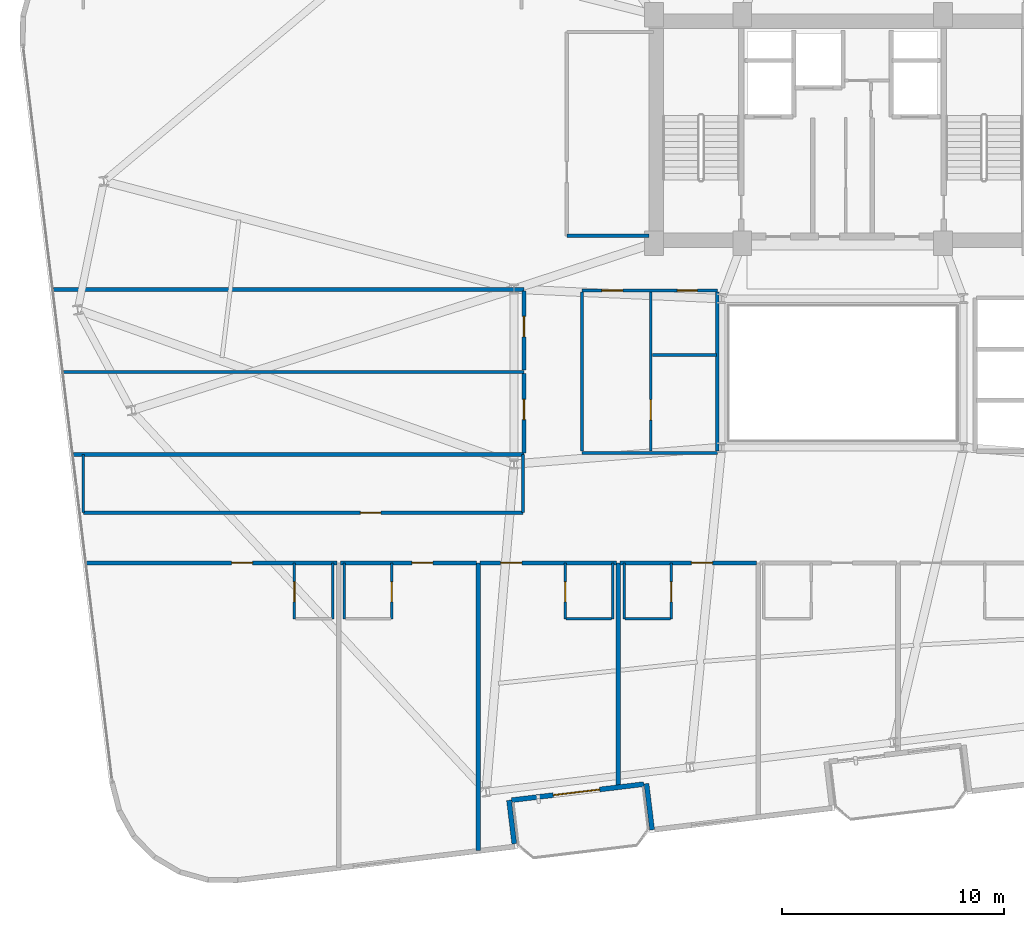
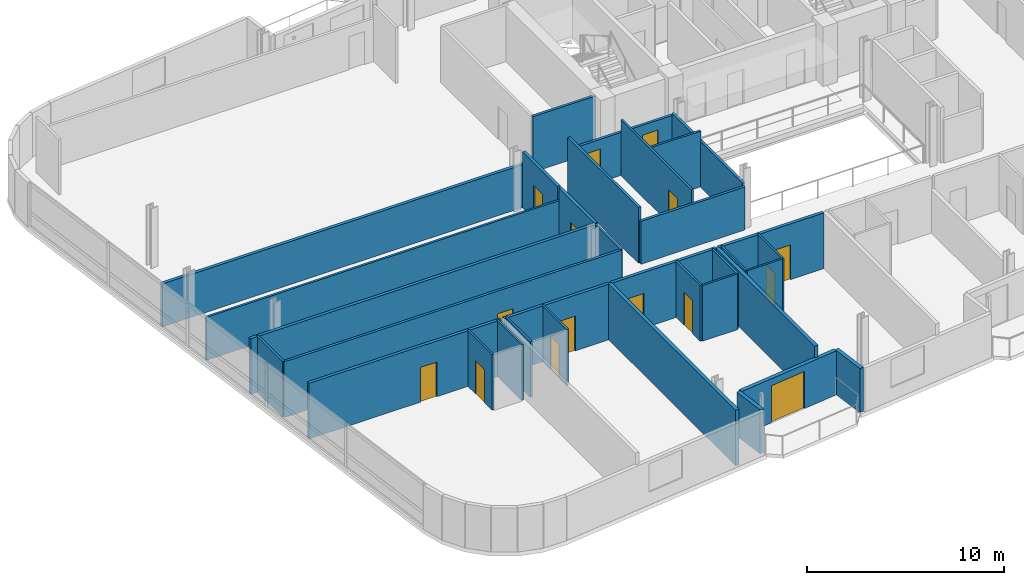
# One storey, part 14 of 23: 34 walls, 15 doors, 15 openings.
"""IFC4 building model written with IfcOpenShell, lengths in metres."""

from ifc_helpers import new_model, si_unit, direction, frame, frame_2d, origin, place, context, subcontext, project, spatial, rectangle, extrude, material, layer, layer_set, type_object, element, fill, save


model = new_model("IFC4")

# Units and contexts
model_context = context("Model", 3, precision=1e-05, world=origin(), true_north=direction((0.0, 1.0)))
body_context = subcontext(model_context, "Body", "Model", "MODEL_VIEW")
ifc_project = project(units=[si_unit("LENGTHUNIT", "METRE"), si_unit("AREAUNIT", "SQUARE_METRE"), si_unit("VOLUMEUNIT", "CUBIC_METRE"), si_unit("PLANEANGLEUNIT", "RADIAN"), si_unit("MASSUNIT", "GRAM", prefix="KILO")], contexts=[model_context])

# Site, building, storey
site_placement = place(None, origin())
site = spatial("IfcSite", under=ifc_project, at=site_placement, CompositionType="ELEMENT")
building_placement = place(site_placement, origin())
building = spatial("IfcBuilding", under=site, at=building_placement, Name="Varnelok Gate Tower", CompositionType="ELEMENT")
storey_placement = place(building_placement, frame((0.0, 0.0, 200.5)))
storey = spatial("IfcBuildingStorey", under=building, at=storey_placement, Name="L51", CompositionType="ELEMENT", Elevation=200.5)

# Wall, opening, door
ifc_material_1 = material(Name="Concrete C45/55", Category="concrete")
ifc_layer_1 = layer(ifc_material_1, 0.219970703125)
ifc_layer_set_1 = layer_set([ifc_layer_1], Name="Concrete C45/55")
wall_type_1 = type_object("IfcWallType", Name="EW-BALC-220", PredefinedType="SOLIDWALL", material=ifc_layer_set_1)
wall_1_placement = place(storey_placement, frame((30.25244140625, 4.381103515625, 0.0), z_axis=(0.0, 0.0, 1.0), x_axis=(-0.992735402148, -0.120318000826, 0.0)))
wall_1 = element("IfcWall", 1, at=wall_1_placement, inside=storey, type_object=wall_type_1, Name="L51 South Terrace Envelope Wall 1", PredefinedType="SOLIDWALL", context=body_context, shape_type="SweptSolid", body=[
    extrude(rectangle(XDim=6.000244140625, YDim=0.219970703125, at=frame_2d((3.0, 0.0))), origin(), (0.0, 0.0, 1.0), 2.72998046875),
])
opening_1_placement = place(wall_1_placement, frame((2.011962890625, 0.0, 0.0)))
opening_1 = element("IfcOpeningElement", 2, at=opening_1_placement, cuts=wall_1, Name="Opening BD-2", PredefinedType="OPENING", context=body_context, shape_type="SweptSolid", body=[
    extrude(rectangle(XDim=2.10009765625, YDim=2.300048828125, at=frame_2d((1.050048828125, 1.14990234375))), frame((0.0, 0.119873046875, 0.0), z_axis=(0.0, -1.0, 0.0), x_axis=(1.0, 0.0, 0.0)), (0.0, 0.0, 1.0), 0.239990234375),
])
ifc_material_2 = material(Name="Anodized Aluminum Alloy 6063-T6", Category="aluminium")
door_type_1 = type_object("IfcDoorType", Name="DR-EXT-SLID2100", OperationType="SLIDING_TO_LEFT", PredefinedType="DOOR", material=ifc_material_2)
door_1_placement = place(opening_1_placement, origin())
door_1 = element("IfcDoor", 3, at=door_1_placement, inside=storey, type_object=door_type_1, Name="L51 South Balcony Glazed Door 1", OperationType="SLIDING_TO_LEFT", OverallHeight=2.300048828125, OverallWidth=2.10009765625, PredefinedType="DOOR", context=body_context, shape_type="SweptSolid", body=[
    extrude(rectangle(XDim=2.10009765625, YDim=2.300048828125, at=frame_2d((1.050048828125, 1.14990234375))), frame((0.0, 0.02490234375, 0.0), z_axis=(0.0, -1.0, 0.0), x_axis=(1.0, 0.0, 0.0)), (0.0, 0.0, 1.0), 0.050048828125),
])
fill(opening_1, door_1)

# Walls
wall_2_placement = place(storey_placement, frame((24.413330078125, 1.694091796875, 0.0), z_axis=(0.0, 0.0, 1.0), x_axis=(-0.120290754542, 0.992738703976, 0.0)))
element("IfcWall", 4, at=wall_2_placement, inside=storey, type_object=wall_type_1, Name="L51 Perimeter Facade Closure Wall 8", PredefinedType="SOLIDWALL", context=body_context, shape_type="SweptSolid", body=[
    extrude(rectangle(XDim=1.974853515625, YDim=0.219970703125, at=frame_2d((0.9873046875, 0.0))), origin(), (0.0, 0.0, 1.0), 2.72998046875),
])
wall_3_placement = place(storey_placement, frame((30.370361328125, 4.405517578125, 0.0), z_axis=(0.0, 0.0, 1.0), x_axis=(0.120327895535, -0.992734202874, 0.0)))
element("IfcWall", 5, at=wall_3_placement, inside=storey, type_object=wall_type_1, Name="L51 Perimeter Facade Closure Wall 9", PredefinedType="SOLIDWALL", context=body_context, shape_type="SweptSolid", body=[
    extrude(rectangle(XDim=2.099853515625, YDim=0.219970703125, at=frame_2d((1.0498046875, 0.0))), origin(), (0.0, 0.0, 1.0), 2.72998046875),
])

# Wall, opening, door
ifc_material_3 = material(Name="Gypsum Plasterboard Acoustic Partition", Category="gypsum")
ifc_layer_2 = layer(ifc_material_3, 0.179931640625)
ifc_layer_set_2 = layer_set([ifc_layer_2], Name="Gypsum Plasterboard Acoustic Partition")
wall_type_2 = type_object("IfcWallType", Name="PW-CORR-180", PredefinedType="PARTITIONING", material=ifc_layer_set_2)
wall_4_placement = place(storey_placement, frame((5.14990234375, 14.35009765625, 0.0), z_axis=(0.0, 0.0, 1.0), x_axis=(1.0, 0.0, 0.0)))
wall_4 = element("IfcWall", 6, at=wall_4_placement, inside=storey, type_object=wall_type_2, Name="Interior Partition", PredefinedType="PARTITIONING", context=body_context, shape_type="SweptSolid", body=[
    extrude(rectangle(XDim=11.27001953125, YDim=0.179931640625, at=frame_2d((5.635009765625, 0.0))), origin(), (0.0, 0.0, 1.0), 3.449951171875),
])
opening_2_placement = place(wall_4_placement, frame((6.530029296875, 0.0, 0.0)))
opening_2 = element("IfcOpeningElement", 7, at=opening_2_placement, cuts=wall_4, Name="Opening D-HT", PredefinedType="OPENING", context=body_context, shape_type="SweptSolid", body=[
    extrude(rectangle(XDim=0.949951171875, YDim=2.14990234375, at=frame_2d((0.47509765625, 1.074951171875))), frame((0.0, 0.099853515625, 0.0), z_axis=(0.0, -1.0, 0.0), x_axis=(1.0, 0.0, 0.0)), (0.0, 0.0, 1.0), 0.199951171875),
])
ifc_material_4 = material(Name="Engineered Hardwood Timber", Category="wood")
door_type_2 = type_object("IfcDoorType", Name="DR-HTL-950", OperationType="NOTDEFINED", PredefinedType="DOOR", material=ifc_material_4)
door_2_placement = place(opening_2_placement, origin())
door_2 = element("IfcDoor", 8, at=door_2_placement, inside=storey, type_object=door_type_2, Name="L51 Guest Room 01 Entrance Door", OperationType="SINGLE_SWING_RIGHT", OverallHeight=2.14990234375, OverallWidth=0.949951171875, PredefinedType="DOOR", context=body_context, shape_type="SweptSolid", body=[
    extrude(rectangle(XDim=0.949951171875, YDim=2.14990234375, at=frame_2d((0.47509765625, 1.074951171875))), frame((0.0, 0.02490234375, 0.0), z_axis=(0.0, -1.0, 0.0), x_axis=(1.0, 0.0, 0.0)), (0.0, 0.0, 1.0), 0.050048828125),
])
fill(opening_2, door_2)

wall_5_placement = place(storey_placement, frame((16.580078125, 14.35009765625, 0.0), z_axis=(0.0, 0.0, 1.0), x_axis=(1.0, 0.0, 0.0)))
wall_5 = element("IfcWall", 9, at=wall_5_placement, inside=storey, type_object=wall_type_2, Name="Interior Partition", PredefinedType="PARTITIONING", context=body_context, shape_type="SweptSolid", body=[
    extrude(rectangle(XDim=6.139892578125, YDim=0.179931640625, at=frame_2d((3.06982421875, 0.0))), origin(), (0.0, 0.0, 1.0), 3.449951171875),
])
opening_3_placement = place(wall_5_placement, frame((3.21435546875, 0.0, 0.0)))
opening_3 = element("IfcOpeningElement", 10, at=opening_3_placement, cuts=wall_5, Name="Opening D-HT", PredefinedType="OPENING", context=body_context, shape_type="SweptSolid", body=[
    extrude(rectangle(XDim=0.949951171875, YDim=2.14990234375, at=frame_2d((0.47509765625, 1.074951171875))), frame((0.0, 0.099853515625, 0.0), z_axis=(0.0, -1.0, 0.0), x_axis=(1.0, 0.0, 0.0)), (0.0, 0.0, 1.0), 0.199951171875),
])
door_3_placement = place(opening_3_placement, origin())
door_3 = element("IfcDoor", 11, at=door_3_placement, inside=storey, type_object=door_type_2, Name="L51 Guest Room 02 Entrance Door", OperationType="SINGLE_SWING_LEFT", OverallHeight=2.14990234375, OverallWidth=0.949951171875, PredefinedType="DOOR", context=body_context, shape_type="SweptSolid", body=[
    extrude(rectangle(XDim=0.949951171875, YDim=2.14990234375, at=frame_2d((0.47509765625, 1.074951171875))), frame((0.0, 0.02490234375, 0.0), z_axis=(0.0, -1.0, 0.0), x_axis=(1.0, 0.0, 0.0)), (0.0, 0.0, 1.0), 0.050048828125),
])
fill(opening_3, door_3)

wall_6_placement = place(storey_placement, frame((22.8798828125, 14.35009765625, 0.0), z_axis=(0.0, 0.0, 1.0), x_axis=(1.0, 0.0, 0.0)))
wall_6 = element("IfcWall", 12, at=wall_6_placement, inside=storey, type_object=wall_type_2, Name="Interior Partition", PredefinedType="PARTITIONING", context=body_context, shape_type="SweptSolid", body=[
    extrude(rectangle(XDim=6.14013671875, YDim=0.179931640625, at=frame_2d((3.070068359375, 0.0))), origin(), (0.0, 0.0, 1.0), 3.449951171875),
])
opening_4_placement = place(wall_6_placement, frame((0.92236328125, 0.0, 0.0)))
opening_4 = element("IfcOpeningElement", 13, at=opening_4_placement, cuts=wall_6, Name="Opening D-HT", PredefinedType="OPENING", context=body_context, shape_type="SweptSolid", body=[
    extrude(rectangle(XDim=0.949951171875, YDim=2.14990234375, at=frame_2d((0.47509765625, 1.074951171875))), frame((0.0, 0.099853515625, 0.0), z_axis=(0.0, -1.0, 0.0), x_axis=(1.0, 0.0, 0.0)), (0.0, 0.0, 1.0), 0.199951171875),
])
door_4_placement = place(opening_4_placement, origin())
door_4 = element("IfcDoor", 14, at=door_4_placement, inside=storey, type_object=door_type_2, Name="L51 Guest Room 03 Entrance Door", OperationType="SINGLE_SWING_RIGHT", OverallHeight=2.14990234375, OverallWidth=0.949951171875, PredefinedType="DOOR", context=body_context, shape_type="SweptSolid", body=[
    extrude(rectangle(XDim=0.949951171875, YDim=2.14990234375, at=frame_2d((0.47509765625, 1.074951171875))), frame((0.0, 0.02490234375, 0.0), z_axis=(0.0, -1.0, 0.0), x_axis=(1.0, 0.0, 0.0)), (0.0, 0.0, 1.0), 0.050048828125),
])
fill(opening_4, door_4)

wall_7_placement = place(storey_placement, frame((29.179931640625, 14.35009765625, 0.0), z_axis=(0.0, 0.0, 1.0), x_axis=(1.0, 0.0, 0.0)))
wall_7 = element("IfcWall", 15, at=wall_7_placement, inside=storey, type_object=wall_type_2, Name="Interior Partition", PredefinedType="PARTITIONING", context=body_context, shape_type="SweptSolid", body=[
    extrude(rectangle(XDim=6.14013671875, YDim=0.179931640625, at=frame_2d((3.070068359375, 0.0))), origin(), (0.0, 0.0, 1.0), 3.449951171875),
])
opening_5_placement = place(wall_7_placement, frame((3.21435546875, 0.0, 0.0)))
opening_5 = element("IfcOpeningElement", 16, at=opening_5_placement, cuts=wall_7, Name="Opening D-HT", PredefinedType="OPENING", context=body_context, shape_type="SweptSolid", body=[
    extrude(rectangle(XDim=0.949951171875, YDim=2.14990234375, at=frame_2d((0.47509765625, 1.074951171875))), frame((0.0, 0.099853515625, 0.0), z_axis=(0.0, -1.0, 0.0), x_axis=(1.0, 0.0, 0.0)), (0.0, 0.0, 1.0), 0.199951171875),
])
door_5_placement = place(opening_5_placement, origin())
door_5 = element("IfcDoor", 17, at=door_5_placement, inside=storey, type_object=door_type_2, Name="L51 Guest Room 04 Entrance Door", OperationType="SINGLE_SWING_LEFT", OverallHeight=2.14990234375, OverallWidth=0.949951171875, PredefinedType="DOOR", context=body_context, shape_type="SweptSolid", body=[
    extrude(rectangle(XDim=0.949951171875, YDim=2.14990234375, at=frame_2d((0.47509765625, 1.074951171875))), frame((0.0, 0.02490234375, 0.0), z_axis=(0.0, -1.0, 0.0), x_axis=(1.0, 0.0, 0.0)), (0.0, 0.0, 1.0), 0.050048828125),
])
fill(opening_5, door_5)

wall_8_placement = place(storey_placement, frame((24.85009765625, 19.300048828125, 0.0), z_axis=(0.0, 0.0, 1.0), x_axis=(0.0, 1.0, 0.0)))
wall_8 = element("IfcWall", 18, at=wall_8_placement, inside=storey, type_object=wall_type_2, Name="Interior Partition", PredefinedType="PARTITIONING", context=body_context, shape_type="SweptSolid", body=[
    extrude(rectangle(XDim=3.570068359375, YDim=0.179931640625, at=frame_2d((1.78515625, 0.0))), origin(), (0.0, 0.0, 1.0), 3.449951171875),
])
opening_6_placement = place(wall_8_placement, frame((1.49951171875, 0.0, 0.0)))
opening_6 = element("IfcOpeningElement", 19, at=opening_6_placement, cuts=wall_8, Name="Opening D-I3", PredefinedType="OPENING", context=body_context, shape_type="SweptSolid", body=[
    extrude(rectangle(XDim=0.919921875, YDim=2.050048828125, at=frame_2d((0.4599609375, 1.02490234375))), frame((0.0, 0.099853515625, 0.0), z_axis=(0.0, -1.0, 0.0), x_axis=(1.0, 0.0, 0.0)), (0.0, 0.0, 1.0), 0.199951171875),
])
door_type_3 = type_object("IfcDoorType", Name="DR-INT-920", OperationType="NOTDEFINED", PredefinedType="DOOR", material=ifc_material_4)
door_6_placement = place(opening_6_placement, origin())
door_6 = element("IfcDoor", 20, at=door_6_placement, inside=storey, type_object=door_type_3, Name="L51 West Wing Room 1 Door", OperationType="SINGLE_SWING_LEFT", OverallHeight=2.050048828125, OverallWidth=0.919921875, PredefinedType="DOOR", context=body_context, shape_type="SweptSolid", body=[
    extrude(rectangle(XDim=0.919921875, YDim=2.050048828125, at=frame_2d((0.4599609375, 1.02490234375))), frame((0.0, 0.02490234375, 0.0), z_axis=(0.0, -1.0, 0.0), x_axis=(1.0, 0.0, 0.0)), (0.0, 0.0, 1.0), 0.050048828125),
])
fill(opening_6, door_6)

wall_9_placement = place(storey_placement, frame((24.85009765625, 23.030029296875, 0.0), z_axis=(0.0, 0.0, 1.0), x_axis=(0.0, 1.0, 0.0)))
wall_9 = element("IfcWall", 21, at=wall_9_placement, inside=storey, type_object=wall_type_2, Name="Interior Partition", PredefinedType="PARTITIONING", context=body_context, shape_type="SweptSolid", body=[
    extrude(rectangle(XDim=3.570068359375, YDim=0.179931640625, at=frame_2d((1.78515625, 0.0))), origin(), (0.0, 0.0, 1.0), 3.449951171875),
])
opening_7_placement = place(wall_9_placement, frame((1.49951171875, 0.0, 0.0)))
opening_7 = element("IfcOpeningElement", 22, at=opening_7_placement, cuts=wall_9, Name="Opening D-I3", PredefinedType="OPENING", context=body_context, shape_type="SweptSolid", body=[
    extrude(rectangle(XDim=0.919921875, YDim=2.050048828125, at=frame_2d((0.4599609375, 1.02490234375))), frame((0.0, 0.099853515625, 0.0), z_axis=(0.0, -1.0, 0.0), x_axis=(1.0, 0.0, 0.0)), (0.0, 0.0, 1.0), 0.199951171875),
])
door_7_placement = place(opening_7_placement, origin())
door_7 = element("IfcDoor", 23, at=door_7_placement, inside=storey, type_object=door_type_3, Name="L51 West Wing Room 2 Door", OperationType="SINGLE_SWING_RIGHT", OverallHeight=2.050048828125, OverallWidth=0.919921875, PredefinedType="DOOR", context=body_context, shape_type="SweptSolid", body=[
    extrude(rectangle(XDim=0.919921875, YDim=2.050048828125, at=frame_2d((0.4599609375, 1.02490234375))), frame((0.0, 0.02490234375, 0.0), z_axis=(0.0, -1.0, 0.0), x_axis=(1.0, 0.0, 0.0)), (0.0, 0.0, 1.0), 0.050048828125),
])
fill(opening_7, door_7)

# Walls
wall_10_placement = place(storey_placement, frame((4.55712890625, 19.239990234375, 0.0), z_axis=(0.0, 0.0, 1.0), x_axis=(1.0, 0.0, 0.0)))
element("IfcWall", 24, at=wall_10_placement, inside=storey, type_object=wall_type_2, Name="Interior Partition", PredefinedType="PARTITIONING", context=body_context, shape_type="SweptSolid", body=[
    extrude(rectangle(XDim=20.29296875, YDim=0.179931640625, at=frame_2d((10.146484375, 0.0))), origin(), (0.0, 0.0, 1.0), 3.449951171875),
])
wall_11_placement = place(storey_placement, frame((3.65771484375, 26.659912109375, 0.0), z_axis=(0.0, 0.0, 1.0), x_axis=(1.0, 0.0, 0.0)))
element("IfcWall", 25, at=wall_11_placement, inside=storey, type_object=wall_type_2, Name="Interior Partition", PredefinedType="PARTITIONING", context=body_context, shape_type="SweptSolid", body=[
    extrude(rectangle(XDim=21.1923828125, YDim=0.179931640625, at=frame_2d((10.59619140625, 0.0))), origin(), (0.0, 0.0, 1.0), 2.662109375),
])

# Wall, opening, door
ifc_layer_3 = layer(ifc_material_3, 0.114990234375)
ifc_layer_set_3 = layer_set([ifc_layer_3], Name="Gypsum Plasterboard Acoustic Partition")
wall_type_3 = type_object("IfcWallType", Name="PW-ENS-125", PredefinedType="PARTITIONING", material=ifc_layer_set_3)
wall_12_placement = place(storey_placement, frame((14.510009765625, 11.830078125, 0.0), z_axis=(0.0, 0.0, 1.0), x_axis=(0.0, 1.0, 0.0)))
wall_12 = element("IfcWall", 26, at=wall_12_placement, inside=storey, type_object=wall_type_3, Name="Interior Partition", PredefinedType="PARTITIONING", context=body_context, shape_type="SweptSolid", body=[
    extrude(rectangle(XDim=2.52001953125, YDim=0.114990234375, at=frame_2d((1.260009765625, 0.0))), origin(), (0.0, 0.0, 1.0), 3.449951171875),
])
opening_8_placement = place(wall_12_placement, frame((0.760009765625, 0.0, 0.0)))
opening_8 = element("IfcOpeningElement", 27, at=opening_8_placement, cuts=wall_12, Name="Opening D-WC", PredefinedType="OPENING", context=body_context, shape_type="SweptSolid", body=[
    extrude(rectangle(XDim=0.89990234375, YDim=2.050048828125, at=frame_2d((0.449951171875, 1.02490234375))), frame((0.0, 0.0673828125, 0.0), z_axis=(0.0, -1.0, 0.0), x_axis=(1.0, 0.0, 0.0)), (0.0, 0.0, 1.0), 0.135009765625),
])
door_type_4 = type_object("IfcDoorType", Name="DR-BATH-900", OperationType="NOTDEFINED", PredefinedType="DOOR", material=ifc_material_4)
door_8_placement = place(opening_8_placement, origin())
door_8 = element("IfcDoor", 28, at=door_8_placement, inside=storey, type_object=door_type_4, Name="L51 Guest En-Suite 01 Door", OperationType="SINGLE_SWING_RIGHT", OverallHeight=2.050048828125, OverallWidth=0.89990234375, PredefinedType="DOOR", context=body_context, shape_type="SweptSolid", body=[
    extrude(rectangle(XDim=0.89990234375, YDim=2.050048828125, at=frame_2d((0.449951171875, 1.02490234375))), frame((0.0, 0.02490234375, 0.0), z_axis=(0.0, -1.0, 0.0), x_axis=(1.0, 0.0, 0.0)), (0.0, 0.0, 1.0), 0.050048828125),
])
fill(opening_8, door_8)

# Wall
wall_13_placement = place(storey_placement, frame((16.239990234375, 11.830078125, 0.0), z_axis=(0.0, 0.0, 1.0), x_axis=(0.0, 1.0, 0.0)))
element("IfcWall", 29, at=wall_13_placement, inside=storey, type_object=wall_type_3, Name="Interior Partition", PredefinedType="PARTITIONING", context=body_context, shape_type="SweptSolid", body=[
    extrude(rectangle(XDim=2.52001953125, YDim=0.114990234375, at=frame_2d((1.260009765625, 0.0))), origin(), (0.0, 0.0, 1.0), 3.449951171875),
])

# Wall, opening, door
wall_14_placement = place(storey_placement, frame((18.89208984375, 11.830078125, 0.0), z_axis=(0.0, 0.0, 1.0), x_axis=(0.0, 1.0, 0.0)))
wall_14 = element("IfcWall", 30, at=wall_14_placement, inside=storey, type_object=wall_type_3, Name="Interior Partition", PredefinedType="PARTITIONING", context=body_context, shape_type="SweptSolid", body=[
    extrude(rectangle(XDim=2.52001953125, YDim=0.114990234375, at=frame_2d((1.260009765625, 0.0))), origin(), (0.0, 0.0, 1.0), 3.449951171875),
])
opening_9_placement = place(wall_14_placement, frame((0.760009765625, 0.0, 0.0)))
opening_9 = element("IfcOpeningElement", 31, at=opening_9_placement, cuts=wall_14, Name="Opening D-WC", PredefinedType="OPENING", context=body_context, shape_type="SweptSolid", body=[
    extrude(rectangle(XDim=0.89990234375, YDim=2.050048828125, at=frame_2d((0.449951171875, 1.02490234375))), frame((0.0, 0.0673828125, 0.0), z_axis=(0.0, -1.0, 0.0), x_axis=(1.0, 0.0, 0.0)), (0.0, 0.0, 1.0), 0.135009765625),
])
door_9_placement = place(opening_9_placement, origin())
door_9 = element("IfcDoor", 32, at=door_9_placement, inside=storey, type_object=door_type_4, Name="L51 Guest En-Suite 02 Door", OperationType="SINGLE_SWING_LEFT", OverallHeight=2.050048828125, OverallWidth=0.89990234375, PredefinedType="DOOR", context=body_context, shape_type="SweptSolid", body=[
    extrude(rectangle(XDim=0.89990234375, YDim=2.050048828125, at=frame_2d((0.449951171875, 1.02490234375))), frame((0.0, 0.02490234375, 0.0), z_axis=(0.0, -1.0, 0.0), x_axis=(1.0, 0.0, 0.0)), (0.0, 0.0, 1.0), 0.050048828125),
])
fill(opening_9, door_9)

# Walls
wall_15_placement = place(storey_placement, frame((16.760009765625, 11.830078125, 0.0), z_axis=(0.0, 0.0, 1.0), x_axis=(0.0, 1.0, 0.0)))
element("IfcWall", 33, at=wall_15_placement, inside=storey, type_object=wall_type_3, Name="Interior Partition", PredefinedType="PARTITIONING", context=body_context, shape_type="SweptSolid", body=[
    extrude(rectangle(XDim=2.52001953125, YDim=0.114990234375, at=frame_2d((1.260009765625, 0.0))), origin(), (0.0, 0.0, 1.0), 3.449951171875),
])
wall_16_placement = place(storey_placement, frame((26.748046875, 11.830078125, 0.0), z_axis=(0.0, 0.0, 1.0), x_axis=(1.0, 0.0, 0.0)))
element("IfcWall", 34, at=wall_16_placement, inside=storey, type_object=wall_type_3, Name="Interior Partition", PredefinedType="PARTITIONING", context=body_context, shape_type="SweptSolid", body=[
    extrude(rectangle(XDim=2.052001953125, YDim=0.114990234375, at=frame_2d((1.02587890625, 0.0))), origin(), (0.0, 0.0, 1.0), 3.449951171875),
])

# Wall, opening, door
wall_17_placement = place(storey_placement, frame((26.7080078125, 11.830078125, 0.0), z_axis=(0.0, 0.0, 1.0), x_axis=(0.0, 1.0, 0.0)))
wall_17 = element("IfcWall", 35, at=wall_17_placement, inside=storey, type_object=wall_type_3, Name="Interior Partition", PredefinedType="PARTITIONING", context=body_context, shape_type="SweptSolid", body=[
    extrude(rectangle(XDim=2.52001953125, YDim=0.114990234375, at=frame_2d((1.260009765625, 0.0))), origin(), (0.0, 0.0, 1.0), 3.449951171875),
])
opening_10_placement = place(wall_17_placement, frame((0.760009765625, 0.0, 0.0)))
opening_10 = element("IfcOpeningElement", 36, at=opening_10_placement, cuts=wall_17, Name="Opening D-WC", PredefinedType="OPENING", context=body_context, shape_type="SweptSolid", body=[
    extrude(rectangle(XDim=0.89990234375, YDim=2.050048828125, at=frame_2d((0.449951171875, 1.02490234375))), frame((0.0, 0.0673828125, 0.0), z_axis=(0.0, -1.0, 0.0), x_axis=(1.0, 0.0, 0.0)), (0.0, 0.0, 1.0), 0.135009765625),
])
door_10_placement = place(opening_10_placement, origin())
door_10 = element("IfcDoor", 37, at=door_10_placement, inside=storey, type_object=door_type_4, Name="L51 Guest En-Suite 03 Door", OperationType="SINGLE_SWING_RIGHT", OverallHeight=2.050048828125, OverallWidth=0.89990234375, PredefinedType="DOOR", context=body_context, shape_type="SweptSolid", body=[
    extrude(rectangle(XDim=0.89990234375, YDim=2.050048828125, at=frame_2d((0.449951171875, 1.02490234375))), frame((0.0, 0.02490234375, 0.0), z_axis=(0.0, -1.0, 0.0), x_axis=(1.0, 0.0, 0.0)), (0.0, 0.0, 1.0), 0.050048828125),
])
fill(opening_10, door_10)

# Walls
wall_18_placement = place(storey_placement, frame((28.840087890625, 11.830078125, 0.0), z_axis=(0.0, 0.0, 1.0), x_axis=(0.0, 1.0, 0.0)))
element("IfcWall", 38, at=wall_18_placement, inside=storey, type_object=wall_type_3, Name="Interior Partition", PredefinedType="PARTITIONING", context=body_context, shape_type="SweptSolid", body=[
    extrude(rectangle(XDim=2.52001953125, YDim=0.114990234375, at=frame_2d((1.260009765625, 0.0))), origin(), (0.0, 0.0, 1.0), 3.449951171875),
])
wall_19_placement = place(storey_placement, frame((29.39990234375, 11.830078125, 0.0), z_axis=(0.0, 0.0, 1.0), x_axis=(1.0, 0.0, 0.0)))
element("IfcWall", 39, at=wall_19_placement, inside=storey, type_object=wall_type_3, Name="Interior Partition", PredefinedType="PARTITIONING", context=body_context, shape_type="SweptSolid", body=[
    extrude(rectangle(XDim=2.052001953125, YDim=0.114990234375, at=frame_2d((1.02587890625, 0.0))), origin(), (0.0, 0.0, 1.0), 3.449951171875),
])

# Wall, opening, door
wall_20_placement = place(storey_placement, frame((31.491943359375, 11.830078125, 0.0), z_axis=(0.0, 0.0, 1.0), x_axis=(0.0, 1.0, 0.0)))
wall_20 = element("IfcWall", 40, at=wall_20_placement, inside=storey, type_object=wall_type_3, Name="Interior Partition", PredefinedType="PARTITIONING", context=body_context, shape_type="SweptSolid", body=[
    extrude(rectangle(XDim=2.52001953125, YDim=0.114990234375, at=frame_2d((1.260009765625, 0.0))), origin(), (0.0, 0.0, 1.0), 3.449951171875),
])
opening_11_placement = place(wall_20_placement, frame((0.760009765625, 0.0, 0.0)))
opening_11 = element("IfcOpeningElement", 41, at=opening_11_placement, cuts=wall_20, Name="Opening D-WC", PredefinedType="OPENING", context=body_context, shape_type="SweptSolid", body=[
    extrude(rectangle(XDim=0.89990234375, YDim=2.050048828125, at=frame_2d((0.449951171875, 1.02490234375))), frame((0.0, 0.0673828125, 0.0), z_axis=(0.0, -1.0, 0.0), x_axis=(1.0, 0.0, 0.0)), (0.0, 0.0, 1.0), 0.135009765625),
])
door_11_placement = place(opening_11_placement, origin())
door_11 = element("IfcDoor", 42, at=door_11_placement, inside=storey, type_object=door_type_4, Name="L51 Guest En-Suite 04 Door", OperationType="SINGLE_SWING_LEFT", OverallHeight=2.050048828125, OverallWidth=0.89990234375, PredefinedType="DOOR", context=body_context, shape_type="SweptSolid", body=[
    extrude(rectangle(XDim=0.89990234375, YDim=2.050048828125, at=frame_2d((0.449951171875, 1.02490234375))), frame((0.0, 0.02490234375, 0.0), z_axis=(0.0, -1.0, 0.0), x_axis=(1.0, 0.0, 0.0)), (0.0, 0.0, 1.0), 0.050048828125),
])
fill(opening_11, door_11)

# Walls
wall_21_placement = place(storey_placement, frame((29.360107421875, 11.830078125, 0.0), z_axis=(0.0, 0.0, 1.0), x_axis=(0.0, 1.0, 0.0)))
element("IfcWall", 43, at=wall_21_placement, inside=storey, type_object=wall_type_3, Name="Interior Partition", PredefinedType="PARTITIONING", context=body_context, shape_type="SweptSolid", body=[
    extrude(rectangle(XDim=2.52001953125, YDim=0.114990234375, at=frame_2d((1.260009765625, 0.0))), origin(), (0.0, 0.0, 1.0), 3.449951171875),
])
ifc_layer_4 = layer(ifc_material_3, 0.125)
ifc_layer_set_4 = layer_set([ifc_layer_4], Name="Gypsum Plasterboard Acoustic Partition")
wall_type_4 = type_object("IfcWallType", Name="PW-PART-125", PredefinedType="PARTITIONING", material=ifc_layer_set_4)
for number, where, z_axis, x_axis, name in (
    (44, (5.0, 16.610107421875, 0.0), (0.0, 0.0, 1.0), (0.0, 1.0, 0.0), "Interior Partition"),
    (45, (24.800048828125, 16.610107421875, 0.0), (0.0, 0.0, 1.0), (0.0, 1.0, 0.0), "Interior Partition"),
):
    element("IfcWall", number, at=place(storey_placement, frame(where, z_axis=z_axis, x_axis=x_axis)), inside=storey, type_object=wall_type_4, Name=name, PredefinedType="PARTITIONING", context=body_context, shape_type="SweptSolid", body=[
        extrude(rectangle(XDim=2.6298828125, YDim=0.125, at=frame_2d((1.31494140625, 0.0))), origin(), (0.0, 0.0, 1.0), 3.449951171875),
    ])
wall_22_placement = place(storey_placement, frame((4.107421875, 22.949951171875, 0.0), z_axis=(0.0, 0.0, 1.0), x_axis=(1.0, 0.0, 0.0)))
element("IfcWall", 46, at=wall_22_placement, inside=storey, type_object=wall_type_4, Name="Interior Partition", PredefinedType="PARTITIONING", context=body_context, shape_type="SweptSolid", body=[
    extrude(rectangle(XDim=20.74267578125, YDim=0.125, at=frame_2d((10.371337890625, 0.0))), origin(), (0.0, 0.0, 1.0), 2.662109375),
])

# Wall, opening, door
wall_23_placement = place(storey_placement, frame((30.56005859375, 19.3798828125, 0.0), z_axis=(0.0, 0.0, 1.0), x_axis=(0.0, 1.0, 0.0)))
wall_23 = element("IfcWall", 47, at=wall_23_placement, inside=storey, type_object=wall_type_4, Name="Interior Partition", PredefinedType="PARTITIONING", context=body_context, shape_type="SweptSolid", body=[
    extrude(rectangle(XDim=7.16015625, YDim=0.125, at=frame_2d((3.580078125, 0.0))), origin(), (0.0, 0.0, 1.0), 3.449951171875),
])
opening_12_placement = place(wall_23_placement, frame((1.39990234375, 0.0, 0.0)))
opening_12 = element("IfcOpeningElement", 48, at=opening_12_placement, cuts=wall_23, Name="Opening D-I3", PredefinedType="OPENING", context=body_context, shape_type="SweptSolid", body=[
    extrude(rectangle(XDim=0.919921875, YDim=2.050048828125, at=frame_2d((0.4599609375, 1.02490234375))), frame((0.0, 0.072509765625, 0.0), z_axis=(0.0, -1.0, 0.0), x_axis=(1.0, 0.0, 0.0)), (0.0, 0.0, 1.0), 0.14501953125),
])
door_12_placement = place(opening_12_placement, origin())
door_12 = element("IfcDoor", 49, at=door_12_placement, inside=storey, type_object=door_type_3, Name="L51 Floor Linen Store Door", OperationType="SINGLE_SWING_RIGHT", OverallHeight=2.050048828125, OverallWidth=0.919921875, PredefinedType="DOOR", context=body_context, shape_type="SweptSolid", body=[
    extrude(rectangle(XDim=0.919921875, YDim=2.050048828125, at=frame_2d((0.4599609375, 1.02490234375))), frame((0.0, 0.02490234375, 0.0), z_axis=(0.0, -1.0, 0.0), x_axis=(1.0, 0.0, 0.0)), (0.0, 0.0, 1.0), 0.050048828125),
])
fill(opening_12, door_12)

# Wall
wall_24_placement = place(storey_placement, frame((30.639892578125, 23.7099609375, 0.0), z_axis=(0.0, 0.0, 1.0), x_axis=(1.0, 0.0, 0.0)))
element("IfcWall", 50, at=wall_24_placement, inside=storey, type_object=wall_type_4, Name="Interior Partition", PredefinedType="PARTITIONING", context=body_context, shape_type="SweptSolid", body=[
    extrude(rectangle(XDim=2.880126953125, YDim=0.125, at=frame_2d((1.43994140625, 0.0))), origin(), (0.0, 0.0, 1.0), 3.449951171875),
])

# Wall, opening, door
ifc_layer_5 = layer(ifc_material_3, 0.14990234375)
ifc_layer_set_5 = layer_set([ifc_layer_5], Name="Gypsum Plasterboard Acoustic Partition")
wall_type_5 = type_object("IfcWallType", Name="PW-PART-150", PredefinedType="PARTITIONING", material=ifc_layer_set_5)
wall_25_placement = place(storey_placement, frame((5.0, 16.610107421875, 0.0), z_axis=(0.0, 0.0, 1.0), x_axis=(1.0, 0.0, 0.0)))
wall_25 = element("IfcWall", 51, at=wall_25_placement, inside=storey, type_object=wall_type_5, Name="Interior Partition", PredefinedType="PARTITIONING", context=body_context, shape_type="SweptSolid", body=[
    extrude(rectangle(XDim=19.800048828125, YDim=0.14990234375, at=frame_2d((9.89990234375, 0.0))), origin(), (0.0, 0.0, 1.0), 3.449951171875),
])
opening_13_placement = place(wall_25_placement, frame((12.485107421875, 0.0, 0.0)))
opening_13 = element("IfcOpeningElement", 52, at=opening_13_placement, cuts=wall_25, Name="Opening D-I3", PredefinedType="OPENING", context=body_context, shape_type="SweptSolid", body=[
    extrude(rectangle(XDim=0.919921875, YDim=2.050048828125, at=frame_2d((0.4599609375, 1.02490234375))), frame((0.0, 0.0849609375, 0.0), z_axis=(0.0, -1.0, 0.0), x_axis=(1.0, 0.0, 0.0)), (0.0, 0.0, 1.0), 0.169921875),
])
door_13_placement = place(opening_13_placement, origin())
door_13 = element("IfcDoor", 53, at=door_13_placement, inside=storey, type_object=door_type_3, Name="L51 Atrium Room 1 Door", OperationType="SINGLE_SWING_LEFT", OverallHeight=2.050048828125, OverallWidth=0.919921875, PredefinedType="DOOR", context=body_context, shape_type="SweptSolid", body=[
    extrude(rectangle(XDim=0.919921875, YDim=2.050048828125, at=frame_2d((0.4599609375, 1.02490234375))), frame((0.0, 0.02490234375, 0.0), z_axis=(0.0, -1.0, 0.0), x_axis=(1.0, 0.0, 0.0)), (0.0, 0.0, 1.0), 0.050048828125),
])
fill(opening_13, door_13)

# Wall, openings, doors
wall_26_placement = place(storey_placement, frame((27.4599609375, 26.6201171875, 0.0), z_axis=(0.0, 0.0, 1.0), x_axis=(1.0, 0.0, 0.0)))
wall_26 = element("IfcWall", 54, at=wall_26_placement, inside=storey, type_object=wall_type_5, Name="Interior Partition", PredefinedType="PARTITIONING", context=body_context, shape_type="SweptSolid", body=[
    extrude(rectangle(XDim=6.10009765625, YDim=0.14990234375, at=frame_2d((3.050048828125, 0.0))), origin(), (0.0, 0.0, 1.0), 2.662109375),
])
opening_14_placement = place(wall_26_placement, frame((0.89990234375, 0.0, 0.0)))
opening_14 = element("IfcOpeningElement", 55, at=opening_14_placement, cuts=wall_26, Name="Opening D-I2", PredefinedType="OPENING", context=body_context, shape_type="SweptSolid", body=[
    extrude(rectangle(XDim=0.949951171875, YDim=2.050048828125, at=frame_2d((0.47509765625, 1.02490234375))), frame((0.0, 0.0849609375, 0.0), z_axis=(0.0, -1.0, 0.0), x_axis=(1.0, 0.0, 0.0)), (0.0, 0.0, 1.0), 0.169921875),
])
opening_15_placement = place(wall_26_placement, frame((4.302978515625, 0.0, 0.0)))
opening_15 = element("IfcOpeningElement", 56, at=opening_15_placement, cuts=wall_26, Name="Opening D-WC", PredefinedType="OPENING", context=body_context, shape_type="SweptSolid", body=[
    extrude(rectangle(XDim=0.89990234375, YDim=2.050048828125, at=frame_2d((0.449951171875, 1.02490234375))), frame((0.0, 0.0849609375, 0.0), z_axis=(0.0, -1.0, 0.0), x_axis=(1.0, 0.0, 0.0)), (0.0, 0.0, 1.0), 0.169921875),
])
door_14_placement = place(opening_15_placement, origin())
door_14 = element("IfcDoor", 57, at=door_14_placement, inside=storey, type_object=door_type_4, Name="L51 Accessible Floor WC Door", OperationType="SINGLE_SWING_LEFT", OverallHeight=2.050048828125, OverallWidth=0.89990234375, PredefinedType="DOOR", context=body_context, shape_type="SweptSolid", body=[
    extrude(rectangle(XDim=0.89990234375, YDim=2.050048828125, at=frame_2d((0.449951171875, 1.02490234375))), frame((0.0, 0.02490234375, 0.0), z_axis=(0.0, -1.0, 0.0), x_axis=(1.0, 0.0, 0.0)), (0.0, 0.0, 1.0), 0.050048828125),
])
fill(opening_15, door_14)
door_type_5 = type_object("IfcDoorType", Name="DR-INT-950", OperationType="NOTDEFINED", PredefinedType="DOOR", material=ifc_material_4)
door_15_placement = place(opening_14_placement, origin())
door_15 = element("IfcDoor", 58, at=door_15_placement, inside=storey, type_object=door_type_5, Name="L51 Hotel Fitness Studio Door", OperationType="SINGLE_SWING_RIGHT", OverallHeight=2.050048828125, OverallWidth=0.949951171875, PredefinedType="DOOR", context=body_context, shape_type="SweptSolid", body=[
    extrude(rectangle(XDim=0.949951171875, YDim=2.050048828125, at=frame_2d((0.47509765625, 1.02490234375))), frame((0.0, 0.02490234375, 0.0), z_axis=(0.0, -1.0, 0.0), x_axis=(1.0, 0.0, 0.0)), (0.0, 0.0, 1.0), 0.050048828125),
])
fill(opening_14, door_15)

# Walls
wall_27_placement = place(storey_placement, frame((27.4599609375, 19.300048828125, 0.0), z_axis=(0.0, 0.0, 1.0), x_axis=(1.0, 0.0, 0.0)))
element("IfcWall", 59, at=wall_27_placement, inside=storey, type_object=wall_type_5, Name="Interior Partition", PredefinedType="PARTITIONING", context=body_context, shape_type="SweptSolid", body=[
    extrude(rectangle(XDim=6.10009765625, YDim=0.14990234375, at=frame_2d((3.050048828125, 0.0))), origin(), (0.0, 0.0, 1.0), 2.662109375),
])
wall_28_placement = place(storey_placement, frame((27.4599609375, 19.3798828125, 0.0), z_axis=(0.0, 0.0, 1.0), x_axis=(0.0, 1.0, 0.0)))
element("IfcWall", 60, at=wall_28_placement, inside=storey, type_object=wall_type_5, Name="Interior Partition", PredefinedType="PARTITIONING", context=body_context, shape_type="SweptSolid", body=[
    extrude(rectangle(XDim=7.16015625, YDim=0.14990234375, at=frame_2d((3.580078125, 0.0))), origin(), (0.0, 0.0, 1.0), 3.449951171875),
])
wall_29_placement = place(storey_placement, frame((33.56005859375, 19.3798828125, 0.0), z_axis=(0.0, 0.0, 1.0), x_axis=(0.0, 1.0, 0.0)))
element("IfcWall", 61, at=wall_29_placement, inside=storey, type_object=wall_type_5, Name="Interior Partition", PredefinedType="PARTITIONING", context=body_context, shape_type="SweptSolid", body=[
    extrude(rectangle(XDim=7.16015625, YDim=0.14990234375, at=frame_2d((3.580078125, 0.0))), origin(), (0.0, 0.0, 1.0), 2.823974609375),
])
wall_30_placement = place(storey_placement, frame((26.780029296875, 29.080078125, 0.0), z_axis=(0.0, 0.0, 1.0), x_axis=(1.0, 0.0, 0.0)))
element("IfcWall", 62, at=wall_30_placement, inside=storey, type_object=wall_type_5, Name="Interior Partition", PredefinedType="PARTITIONING", context=body_context, shape_type="SweptSolid", body=[
    extrude(rectangle(XDim=3.699951171875, YDim=0.14990234375, at=frame_2d((1.85009765625, 0.0))), origin(), (0.0, 0.0, 1.0), 3.449951171875),
])
ifc_layer_6 = layer(ifc_material_3, 0.205078125)
ifc_layer_set_6 = layer_set([ifc_layer_6], Name="Gypsum Plasterboard Acoustic Partition")
wall_type_6 = type_object("IfcWallType", Name="PW-PARTY-200", PredefinedType="PARTITIONING", material=ifc_layer_set_6)
wall_31_placement = place(storey_placement, frame((22.800048828125, 1.392578125, 0.0), z_axis=(0.0, 0.0, 1.0), x_axis=(0.0, 1.0, 0.0)))
element("IfcWall", 63, at=wall_31_placement, inside=storey, type_object=wall_type_6, Name="L51 South Party Wall 2", PredefinedType="PARTITIONING", context=body_context, shape_type="SweptSolid", body=[
    extrude(rectangle(XDim=12.95751953125, YDim=0.205078125, at=frame_2d((6.478759765625, 0.0))), origin(), (0.0, 0.0, 1.0), 3.449951171875),
])
wall_32_placement = place(storey_placement, frame((29.10009765625, 4.271728515625, 0.0), z_axis=(0.0, 0.0, 1.0), x_axis=(0.0, 1.0, 0.0)))
element("IfcWall", 64, at=wall_32_placement, inside=storey, type_object=wall_type_6, Name="L51 South Party Wall 3", PredefinedType="PARTITIONING", context=body_context, shape_type="SweptSolid", body=[
    extrude(rectangle(XDim=10.078369140625, YDim=0.205078125, at=frame_2d((5.0390625, 0.0))), origin(), (0.0, 0.0, 1.0), 3.449951171875),
])

save(model, "model.ifc")
